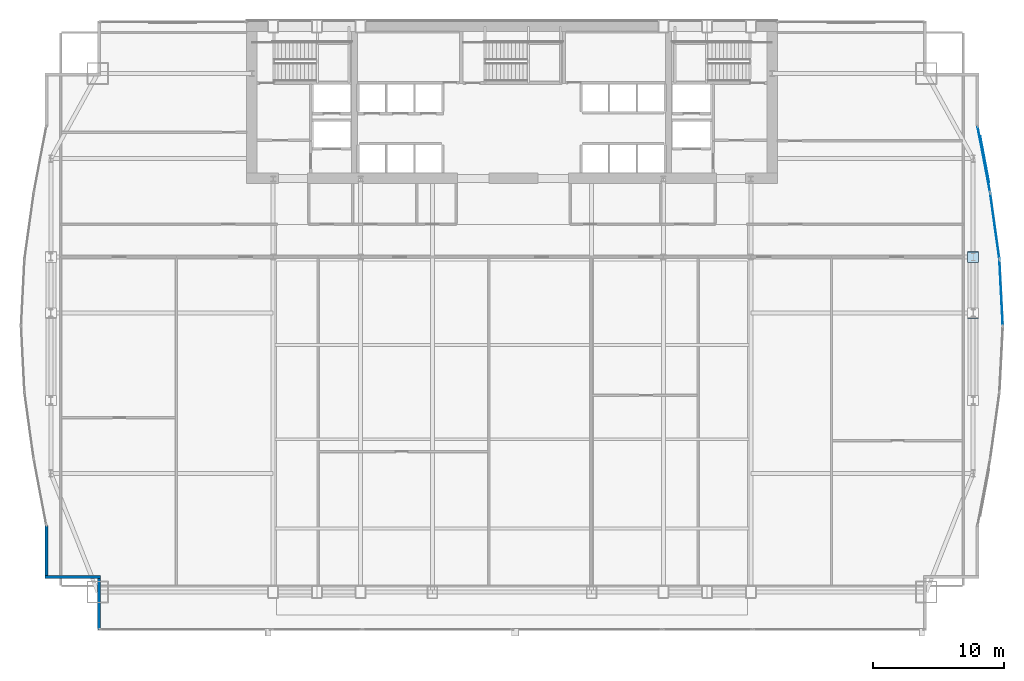
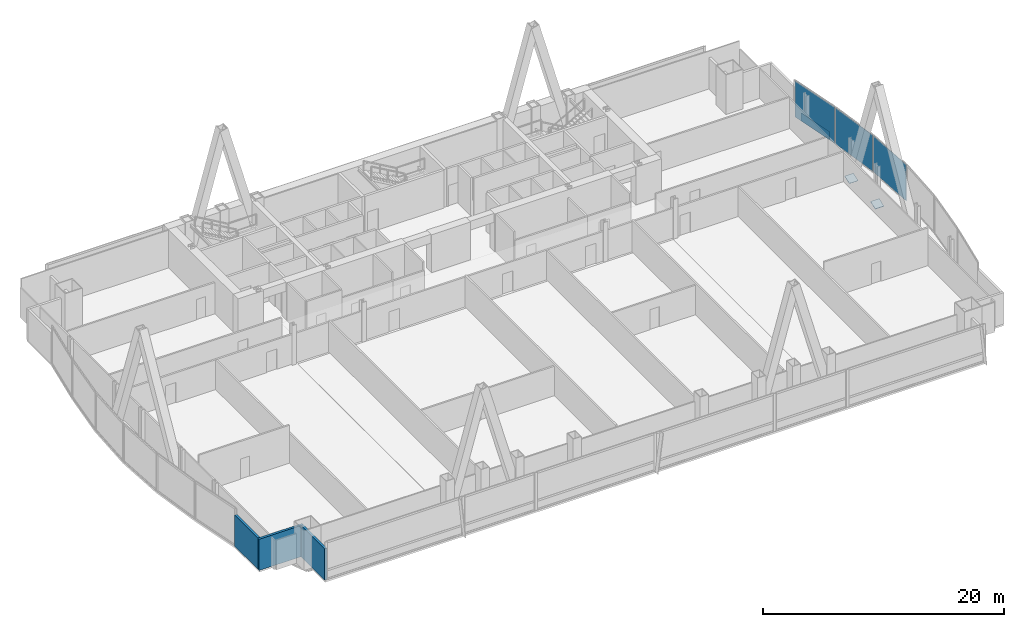
# One storey, part 29 of 37: 6 plates, 3 walls, 3 elements without a shape of their own.
"""IFC4 building model written with IfcOpenShell, lengths in metres."""

from ifc_helpers import new_model, si_unit, direction, frame, frame_2d, origin, origin_2d, place, context, subcontext, project, spatial, polyline, rectangle, outline, extrude, material, layer, layer_set, type_object, element, aggregate, save


model = new_model("IFC4")

# Units and contexts
model_context = context("Model", 3, precision=1e-05, world=origin(), true_north=direction((0.0, 1.0)))
body_context = subcontext(model_context, "Body", "Model", "MODEL_VIEW")
ifc_project = project(units=[si_unit("LENGTHUNIT", "METRE"), si_unit("AREAUNIT", "SQUARE_METRE"), si_unit("VOLUMEUNIT", "CUBIC_METRE"), si_unit("PLANEANGLEUNIT", "RADIAN"), si_unit("MASSUNIT", "GRAM", prefix="KILO")], contexts=[model_context])

# Site, building, storey
site_placement = place(None, origin())
site = spatial("IfcSite", under=ifc_project, at=site_placement, CompositionType="ELEMENT")
building_placement = place(site_placement, origin())
building = spatial("IfcBuilding", under=site, at=building_placement, Name="Khoronbel Lancet Exchange", CompositionType="ELEMENT")
storey_placement = place(building_placement, frame((0.0, 0.0, 61.800048828125)))
storey = spatial("IfcBuildingStorey", under=building, at=storey_placement, Name="L14", CompositionType="ELEMENT", Elevation=61.800048828125)

# Curtain wall, plate
ifc_material_1 = material(Name="Low-E Solar Control Insulating Glass", Category="glass")
curtain_wall_type = type_object("IfcCurtainWallType", Name="CW-4", PredefinedType="NOTDEFINED", material=ifc_material_1)
curtain_wall_1_placement = place(storey_placement, origin())
curtain_wall_1 = element("IfcCurtainWall", 1, at=curtain_wall_1_placement, inside=storey, type_object=curtain_wall_type, Name="Unitised curtain wall CW-L14-E17", PredefinedType="NOTDEFINED")
ifc_material_2 = material(Name="Bronze-Anodised Aluminium 6063-T6", Category="aluminium")
ifc_layer_1 = layer(ifc_material_2, 0.050048828125, Name="Bronze-Anodised Aluminium 6063-T6")
ifc_layer_set_1 = layer_set([ifc_layer_1], Name="Bronze-Anodised Aluminium 6063-T6")
plate_type_1 = type_object("IfcPlateType", Name="PLT-CSP1", PredefinedType="SHEET", material=ifc_layer_set_1)
plate_1_placement = place(storey_placement, frame((72.502197265625, 43.157958984375, 0.0498046875), z_axis=(0.0, 0.0, 1.0), x_axis=(0.186551466034, -0.982445189576, 0.0)))
plate_1 = element("IfcPlate", 2, at=plate_1_placement, type_object=plate_type_1, Name="Insulated bronze spandrel cassette CW-L14-E17", PredefinedType="SHEET", context=body_context, shape_type="SweptSolid", body=[
    extrude(rectangle(XDim=3.60009765625, YDim=0.050048828125, at=origin_2d()), origin(), (0.0, 0.0, 1.0), 0.800048828125),
])

curtain_wall_2_placement = place(storey_placement, origin())
curtain_wall_2 = element("IfcCurtainWall", 3, at=curtain_wall_2_placement, inside=storey, type_object=curtain_wall_type, Name="Unitised curtain wall CW-L14-E18", PredefinedType="NOTDEFINED")
plate_2_placement = place(storey_placement, frame((73.279296875, 38.0634765625, 0.0849609375), z_axis=(0.0, 0.0, 1.0), x_axis=(0.137667785939, -0.9904784605, 0.0)))
plate_2 = element("IfcPlate", 4, at=plate_2_placement, type_object=plate_type_1, Name="CW4 panel 1.1", PredefinedType="CURTAIN_PANEL", context=body_context, shape_type="SweptSolid", body=[
    extrude(rectangle(XDim=4.97607421875, YDim=0.0380859375, at=origin_2d()), origin(), (0.0, 0.0, 1.0), 3.64990234375),
])
aggregate(curtain_wall_2, [plate_2])

curtain_wall_3_placement = place(storey_placement, origin())
curtain_wall_3 = element("IfcCurtainWall", 5, at=curtain_wall_3_placement, inside=storey, type_object=curtain_wall_type, Name="Unitised curtain wall CW-L14-E19", PredefinedType="NOTDEFINED")
plate_3_placement = place(storey_placement, frame((73.76123046875, 32.9873046875, 0.0849609375), z_axis=(0.0, 0.0, 1.0), x_axis=(0.050813125988, -0.998708178713, 0.0)))
plate_3 = element("IfcPlate", 6, at=plate_3_placement, type_object=plate_type_1, Name="CW4 panel 1.1", PredefinedType="CURTAIN_PANEL", context=body_context, shape_type="SweptSolid", body=[
    extrude(rectangle(XDim=4.931396484375, YDim=0.0380859375, at=origin_2d()), origin(), (0.0, 0.0, 1.0), 3.64990234375),
])
aggregate(curtain_wall_3, [plate_3])

# Plate
ifc_material_3 = material(Name="Ceramic-Fritted Laminated Insulating Glass", Category="glass")
ifc_layer_2 = layer(ifc_material_3, 0.0419921875, Name="Ceramic-Fritted Laminated Insulating Glass")
ifc_layer_set_2 = layer_set([ifc_layer_2], Name="Ceramic-Fritted Laminated Insulating Glass")
plate_type_2 = type_object("IfcPlateType", Name="PLT-CWP2", PredefinedType="CURTAIN_PANEL", material=ifc_layer_set_2)
plate_4_placement = place(storey_placement, frame((72.443115234375, 43.146728515625, 0.0849609375), z_axis=(0.0, 0.0, 1.0), x_axis=(0.186551466034, -0.982445189576, 0.0)))
plate_4 = element("IfcPlate", 7, at=plate_4_placement, type_object=plate_type_2, Name="CW4 panel 1.1", PredefinedType="CURTAIN_PANEL", context=body_context, shape_type="SweptSolid", body=[
    extrude(rectangle(XDim=5.0302734375, YDim=0.0380859375, at=origin_2d()), origin(), (0.0, 0.0, 1.0), 3.64990234375),
])

aggregate(curtain_wall_1, [plate_4, plate_1])

# Plates
ifc_material_4 = material(Name="Steel S460", Category="steel")
ifc_layer_3 = layer(ifc_material_4, 0.044921875, Name="Steel S460")
ifc_layer_set_3 = layer_set([ifc_layer_3], Name="Steel S460")
plate_type_3 = type_object("IfcPlateType", Name="PLT-ECP1", PredefinedType="USERDEFINED", material=ifc_layer_set_3)
for number, where, z_axis, x_axis, name in (
    (8, (71.2099609375, 31.018310546875, -0.10986328125), (0.0, -0.335433979759, 0.942063716116), (1.0, 0.0, 0.0), "Hollow end cap plate PLT-CAP-MEM-MB-T03-E-P-R-1"),
    (9, (71.2099609375, 35.30029296875, -0.129638671875), (0.0, -0.335433979759, 0.942063716116), (1.0, 0.0, 0.0), "Hollow end cap plate PLT-CAP-MEM-MB-T04-E-P-R-0"),
):
    element("IfcPlate", number, at=place(storey_placement, frame(where, z_axis=z_axis, x_axis=x_axis)), inside=storey, type_object=plate_type_3, Name=name, ObjectType="STIFFENER_PLATE", PredefinedType="USERDEFINED", context=body_context, shape_type="SweptSolid", body=[
        extrude(outline(polyline([(0.0, 0.0), (0.840087890625, 0.0), (0.840087890625, 0.83984375), (0.0, 0.83984375), (0.0, 0.0)])), origin(), (0.0, 0.0, -1.0), 0.044921875),
    ])

# Walls
ifc_material_5 = material(Name="Precast concrete C40/50", Category="concrete")
ifc_layer_4 = layer(ifc_material_5, 0.25, Name="Precast concrete C40/50")
ifc_layer_set_4 = layer_set([ifc_layer_4], Name="Precast concrete C40/50")
wall_type = type_object("IfcWallType", Name="WL-EXT250", PredefinedType="SOLIDWALL", material=ifc_layer_set_4)
wall_1_placement = place(storey_placement, frame((4.93994140625, 7.27001953125, 0.0), z_axis=(0.0, 0.0, 1.0), x_axis=(0.0, 1.0, 0.0)))
element("IfcWall", 10, at=wall_1_placement, inside=storey, type_object=wall_type, Name="Level L14 notched-corner limestone pier 01", PredefinedType="SOLIDWALL", context=body_context, shape_type="SweptSolid", body=[
    extrude(rectangle(XDim=3.909912109375, YDim=0.219970703125, at=frame_2d((1.955078125, 0.0))), origin(), (0.0, 0.0, 1.0), 3.159912109375),
])
wall_2_placement = place(storey_placement, frame((5.050048828125, 11.2900390625, 0.0), z_axis=(0.0, 0.0, 1.0), x_axis=(-1.0, 0.0, 0.0)))
element("IfcWall", 11, at=wall_2_placement, inside=storey, type_object=wall_type, Name="Level L14 notched-corner limestone pier 02", PredefinedType="SOLIDWALL", context=body_context, shape_type="SweptSolid", body=[
    extrude(rectangle(XDim=4.219970703125, YDim=0.219970703125, at=frame_2d((2.10986328125, 0.0))), origin(), (0.0, 0.0, 1.0), 3.159912109375),
])
wall_3_placement = place(storey_placement, frame((0.93994140625, 11.39990234375, 0.0), z_axis=(0.0, 0.0, 1.0), x_axis=(0.0, 1.0, 0.0)))
element("IfcWall", 12, at=wall_3_placement, inside=storey, type_object=wall_type, Name="Level L14 notched-corner limestone pier 03", PredefinedType="SOLIDWALL", context=body_context, shape_type="SweptSolid", body=[
    extrude(rectangle(XDim=3.82861328125, YDim=0.219970703125, at=frame_2d((1.914306640625, 0.0))), origin(), (0.0, 0.0, 1.0), 3.159912109375),
])

save(model, "model.ifc")
